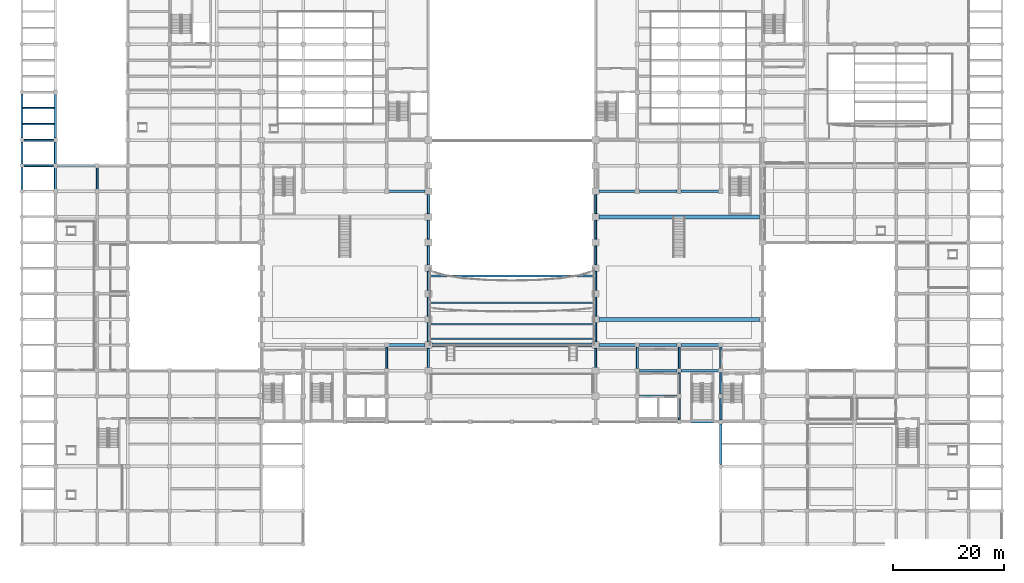
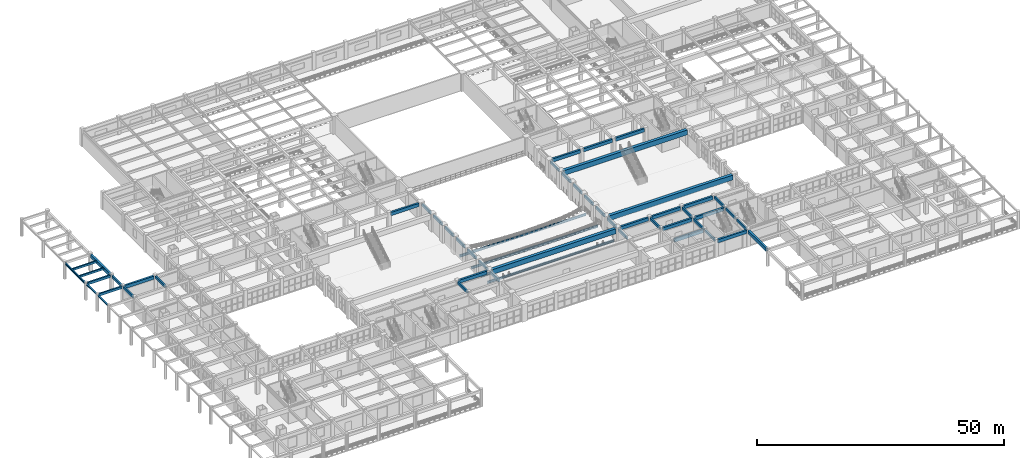
# One storey, part 43 of 116: 54 beams.
"""IFC4 building model written with IfcOpenShell, lengths in metres."""

from ifc_helpers import new_model, si_unit, direction, frame, origin, origin_2d, place, context, subcontext, project, spatial, rectangle, i_section, extrude, material, material_profile, profile_set, type_object, element, save


model = new_model("IFC4")

# Units and contexts
model_context = context("Model", 3, precision=1e-05, world=origin(), true_north=direction((0.0, 1.0)))
body_context = subcontext(model_context, "Body", "Model", "MODEL_VIEW")
ifc_project = project(units=[si_unit("LENGTHUNIT", "METRE"), si_unit("AREAUNIT", "SQUARE_METRE"), si_unit("VOLUMEUNIT", "CUBIC_METRE"), si_unit("PLANEANGLEUNIT", "RADIAN"), si_unit("MASSUNIT", "GRAM", prefix="KILO")], contexts=[model_context])

# Site, building, storey
site_placement = place(None, origin())
site = spatial("IfcSite", under=ifc_project, at=site_placement, CompositionType="ELEMENT")
building_placement = place(site_placement, origin())
building = spatial("IfcBuilding", under=site, at=building_placement, Name="Muzn Square Opera House", CompositionType="ELEMENT")
storey_placement = place(building_placement, frame((0.0, 0.0, 5.39990234375)))
storey = spatial("IfcBuildingStorey", under=building, at=storey_placement, Name="L01", CompositionType="ELEMENT", Elevation=5.39990234375)

# Beams
ifc_material_1 = material(Name="Steel S355", Category="steel")
ifc_material_profile_1 = material_profile(ifc_material_1, i_section(OverallWidth=0.300048828125, OverallDepth=0.550048828125, WebThickness=0.014892578125, FlangeThickness=0.029052734375, FilletRadius=0.027099609375, at=origin_2d()), Name="HEB 550", Category="steel")
ifc_profile_set_1 = profile_set([ifc_material_profile_1], Name="Steel S355")
beam_type_1 = type_object("IfcBeamType", Name="Auditorium Raker Beam HEB550", PredefinedType="USERDEFINED", material=ifc_profile_set_1)
for number, where, z_axis, x_axis, name in (
    (1, (73.199951171875, 36.89990234375, 0.2451171875), (1.0, 0.0, 0.0), (0.0, 1.0, 0.0), "Dress Circle Raker Beam RAKER-L01-01"),
    (2, (73.199951171875, 39.5, 0.2451171875), (1.0, 0.0, 0.0), (0.0, 1.0, 0.0), "Dress Circle Raker Beam RAKER-L01-02"),
    (3, (73.199951171875, 43.39990234375, -0.114990234375), (1.0, 0.0, 0.0), (0.0, 1.0, 0.0), "Dress Circle Raker Beam RAKER-L01-03"),
    (4, (73.199951171875, 48.199951171875, -0.114990234375), (1.0, 0.0, 0.0), (0.0, 1.0, 0.0), "Dress Circle Raker Beam RAKER-L01-04"),
):
    element("IfcBeam", number, at=place(storey_placement, frame(where, z_axis=z_axis, x_axis=x_axis)), inside=storey, type_object=beam_type_1, Name=name, ObjectType="RAKER", PredefinedType="USERDEFINED", context=body_context, shape_type="SweptSolid", body=[
        extrude(i_section(OverallWidth=0.300048828125, OverallDepth=0.550048828125, WebThickness=0.014892578125, FlangeThickness=0.029052734375, FilletRadius=0.027099609375, at=origin_2d()), origin(), (0.0, 0.0, 1.0), 29.60009765625),
    ])
ifc_material_2 = material(Name="Concrete C40/50", Category="concrete")
ifc_material_profile_2 = material_profile(ifc_material_2, rectangle(XDim=0.300048828125, YDim=0.5, at=origin_2d()), Name="RCJ 300x500", Category="concrete")
ifc_profile_set_2 = profile_set([ifc_material_profile_2], Name="Concrete C40/50")
beam_type_2 = type_object("IfcBeamType", Name="Floor Joist 300x500", PredefinedType="JOIST", material=ifc_profile_set_2)
for number, where, z_axis, x_axis, name in (
    (5, (0.14208984375, 75.466796875, 3.900146484375), (1.0, 0.0, 0.0), (0.0, 1.0, 0.0), "Floor Joist BM-L01-BM-J500-1_755_58_755-1801"),
    (6, (0.14208984375, 78.333251953125, 3.900146484375), (1.0, 0.0, 0.0), (0.0, 1.0, 0.0), "Floor Joist BM-L01-BM-J500-1_783_58_783-1802"),
):
    element("IfcBeam", number, at=place(storey_placement, frame(where, z_axis=z_axis, x_axis=x_axis)), inside=storey, type_object=beam_type_2, Name=name, PredefinedType="JOIST", context=body_context, shape_type="SweptSolid", body=[
        extrude(rectangle(XDim=0.300048828125, YDim=0.5, at=origin_2d()), origin(), (0.0, 0.0, 1.0), 5.640869140625),
    ])
ifc_material_profile_3 = material_profile(ifc_material_2, rectangle(XDim=0.35009765625, YDim=0.60009765625, at=origin_2d()), Name="RCB 350x600", Category="concrete")
ifc_profile_set_3 = profile_set([ifc_material_profile_3], Name="Concrete C40/50")
beam_type_3 = type_object("IfcBeamType", Name="Primary Girder 350x600", PredefinedType="BEAM", material=ifc_profile_set_3)
for number, where, z_axis, x_axis, name in (
    (7, (0.342041015625, 68.0, 3.85009765625), (1.0, 0.0, 0.0), (0.0, 1.0, 0.0), "Primary Girder BM-L01-BM-PG600-3_680_56_680-1412"),
    (8, (0.342041015625, 72.60009765625, 3.85009765625), (1.0, 0.0, 0.0), (0.0, 1.0, 0.0), "Primary Girder BM-L01-BM-PG600-3_726_56_726-1432"),
):
    element("IfcBeam", number, at=place(storey_placement, frame(where, z_axis=z_axis, x_axis=x_axis)), inside=storey, type_object=beam_type_3, Name=name, PredefinedType="BEAM", context=body_context, shape_type="SweptSolid", body=[
        extrude(rectangle(XDim=0.35009765625, YDim=0.60009765625, at=origin_2d()), origin(), (0.0, 0.0, 1.0), 5.291015625),
    ])
for number, where, z_axis, x_axis, name in (
    (9, (6.0, 63.76708984375, 3.85009765625), (0.0, 1.0, 0.0), (-1.0, 0.0, 0.0), "Primary Girder BM-L01-BM-PG600-60_638_60_676-1537"),
    (10, (6.0, 68.366943359375, 3.820068359375), (0.0, 1.0, 0.0), (-1.0, 0.0, 0.0), "Primary Girder BM-L01-BM-PG600-60_684_60_722-1538"),
    (11, (13.5, 63.76708984375, 3.85009765625), (0.0, 1.0, 0.0), (-1.0, 0.0, 0.0), "Primary Girder BM-L01-BM-PG600-135_638_135_676-1552"),
):
    element("IfcBeam", number, at=place(storey_placement, frame(where, z_axis=z_axis, x_axis=x_axis)), inside=storey, type_object=beam_type_3, Name=name, PredefinedType="BEAM", context=body_context, shape_type="SweptSolid", body=[
        extrude(rectangle(XDim=0.35009765625, YDim=0.60009765625, at=origin_2d()), origin(), (0.0, 0.0, 1.0), 3.865966796875),
    ])
beam_1_placement = place(storey_placement, frame((65.5, 31.56689453125, 3.820068359375), z_axis=(0.0, 1.0, 0.0), x_axis=(-1.0, 0.0, 0.0)))
element("IfcBeam", 12, at=beam_1_placement, inside=storey, type_object=beam_type_3, Name="Primary Girder BM-L01-BM-PG600-655_316_655_354-1637", PredefinedType="BEAM", context=body_context, shape_type="SweptSolid", body=[
    extrude(rectangle(XDim=0.35009765625, YDim=0.60009765625, at=origin_2d()), origin(), (0.0, 0.0, 1.0), 3.8662109375),
])
for number, where, z_axis, x_axis, name in (
    (13, (73.0, 31.7919921875, 3.820068359375), (0.0, 1.0, 0.0), (-1.0, 0.0, 0.0), "Primary Girder BM-L01-BM-PG600-730_318_730_352-1646"),
    (14, (73.0, 36.39208984375, 3.820068359375), (0.0, 1.0, 0.0), (-1.0, 0.0, 0.0), "Primary Girder BM-L01-BM-PG600-730_364_730_398-1647"),
    (15, (73.0, 40.991943359375, 3.820068359375), (0.0, 1.0, 0.0), (-1.0, 0.0, 0.0), "Primary Girder BM-L01-BM-PG600-730_410_730_444-1648"),
    (16, (73.0, 45.592041015625, 3.820068359375), (0.0, 1.0, 0.0), (-1.0, 0.0, 0.0), "Primary Girder BM-L01-BM-PG600-730_456_730_490-1649"),
    (17, (73.0, 50.19189453125, 3.820068359375), (0.0, 1.0, 0.0), (-1.0, 0.0, 0.0), "Primary Girder BM-L01-BM-PG600-730_502_730_536-1650"),
    (18, (73.0, 54.7919921875, 3.820068359375), (0.0, 1.0, 0.0), (-1.0, 0.0, 0.0), "Primary Girder BM-L01-BM-PG600-730_548_730_582-1651"),
    (19, (73.0, 59.39208984375, 3.820068359375), (0.0, 1.0, 0.0), (-1.0, 0.0, 0.0), "Primary Girder BM-L01-BM-PG600-730_594_730_628-1652"),
    (20, (103.0, 31.7919921875, 3.820068359375), (0.0, 1.0, 0.0), (-1.0, 0.0, 0.0), "Primary Girder BM-L01-BM-PG600-1030_318_1030_352-1658"),
    (21, (103.0, 36.39208984375, 3.820068359375), (0.0, 1.0, 0.0), (-1.0, 0.0, 0.0), "Primary Girder BM-L01-BM-PG600-1030_364_1030_398-1659"),
    (22, (103.0, 40.991943359375, 3.820068359375), (0.0, 1.0, 0.0), (-1.0, 0.0, 0.0), "Primary Girder BM-L01-BM-PG600-1030_410_1030_444-1660"),
    (23, (103.0, 45.592041015625, 3.820068359375), (0.0, 1.0, 0.0), (-1.0, 0.0, 0.0), "Primary Girder BM-L01-BM-PG600-1030_456_1030_490-1661"),
    (24, (103.0, 50.19189453125, 3.820068359375), (0.0, 1.0, 0.0), (-1.0, 0.0, 0.0), "Primary Girder BM-L01-BM-PG600-1030_502_1030_536-1662"),
    (25, (103.0, 54.7919921875, 3.820068359375), (0.0, 1.0, 0.0), (-1.0, 0.0, 0.0), "Primary Girder BM-L01-BM-PG600-1030_548_1030_582-1663"),
    (26, (103.0, 59.39208984375, 3.820068359375), (0.0, 1.0, 0.0), (-1.0, 0.0, 0.0), "Primary Girder BM-L01-BM-PG600-1030_594_1030_628-1664"),
):
    element("IfcBeam", number, at=place(storey_placement, frame(where, z_axis=z_axis, x_axis=x_axis)), inside=storey, type_object=beam_type_3, Name=name, PredefinedType="BEAM", context=body_context, shape_type="SweptSolid", body=[
        extrude(rectangle(XDim=0.35009765625, YDim=0.60009765625, at=origin_2d()), origin(), (0.0, 0.0, 1.0), 3.416015625),
    ])
beam_2_placement = place(storey_placement, frame((110.5, 31.56689453125, 3.820068359375), z_axis=(0.0, 1.0, 0.0), x_axis=(-1.0, 0.0, 0.0)))
element("IfcBeam", 27, at=beam_2_placement, inside=storey, type_object=beam_type_3, Name="Primary Girder BM-L01-BM-PG600-1105_316_1105_354-1670", PredefinedType="BEAM", context=body_context, shape_type="SweptSolid", body=[
    extrude(rectangle(XDim=0.35009765625, YDim=0.60009765625, at=origin_2d()), origin(), (0.0, 0.0, 1.0), 3.8662109375),
])
for number, where, z_axis, x_axis, name in (
    (28, (118.0, 22.366943359375, 3.820068359375), (0.0, 1.0, 0.0), (-1.0, 0.0, 0.0), "Primary Girder BM-L01-BM-PG600-1180_224_1180_262-1677"),
    (29, (118.0, 26.967041015625, 3.820068359375), (0.0, 1.0, 0.0), (-1.0, 0.0, 0.0), "Primary Girder BM-L01-BM-PG600-1180_270_1180_308-1678"),
):
    element("IfcBeam", number, at=place(storey_placement, frame(where, z_axis=z_axis, x_axis=x_axis)), inside=storey, type_object=beam_type_3, Name=name, PredefinedType="BEAM", context=body_context, shape_type="SweptSolid", body=[
        extrude(rectangle(XDim=0.35009765625, YDim=0.60009765625, at=origin_2d()), origin(), (0.0, 0.0, 1.0), 3.865966796875),
    ])
beam_3_placement = place(storey_placement, frame((118.0, 31.56689453125, 3.820068359375), z_axis=(0.0, 1.0, 0.0), x_axis=(-1.0, 0.0, 0.0)))
element("IfcBeam", 30, at=beam_3_placement, inside=storey, type_object=beam_type_3, Name="Primary Girder BM-L01-BM-PG600-1180_316_1180_354-1679", PredefinedType="BEAM", context=body_context, shape_type="SweptSolid", body=[
    extrude(rectangle(XDim=0.35009765625, YDim=0.60009765625, at=origin_2d()), origin(), (0.0, 0.0, 1.0), 3.8662109375),
])
for number, where, z_axis, x_axis, name in (
    (31, (125.5, 22.366943359375, 3.820068359375), (0.0, 1.0, 0.0), (-1.0, 0.0, 0.0), "Primary Girder BM-L01-BM-PG600-1255_224_1255_262-1689"),
    (32, (125.5, 26.967041015625, 3.820068359375), (0.0, 1.0, 0.0), (-1.0, 0.0, 0.0), "Primary Girder BM-L01-BM-PG600-1255_270_1255_308-1690"),
):
    element("IfcBeam", number, at=place(storey_placement, frame(where, z_axis=z_axis, x_axis=x_axis)), inside=storey, type_object=beam_type_3, Name=name, PredefinedType="BEAM", context=body_context, shape_type="SweptSolid", body=[
        extrude(rectangle(XDim=0.35009765625, YDim=0.60009765625, at=origin_2d()), origin(), (0.0, 0.0, 1.0), 3.865966796875),
    ])
beam_4_placement = place(storey_placement, frame((125.5, 31.56689453125, 3.820068359375), z_axis=(0.0, 1.0, 0.0), x_axis=(-1.0, 0.0, 0.0)))
element("IfcBeam", 33, at=beam_4_placement, inside=storey, type_object=beam_type_3, Name="Primary Girder BM-L01-BM-PG600-1255_316_1255_354-1691", PredefinedType="BEAM", context=body_context, shape_type="SweptSolid", body=[
    extrude(rectangle(XDim=0.35009765625, YDim=0.60009765625, at=origin_2d()), origin(), (0.0, 0.0, 1.0), 3.8662109375),
])
ifc_material_profile_4 = material_profile(ifc_material_2, rectangle(XDim=0.449951171875, YDim=0.800048828125, at=origin_2d()), Name="RCB 450x800", Category="concrete")
ifc_profile_set_4 = profile_set([ifc_material_profile_4], Name="Concrete C40/50")
beam_type_4 = type_object("IfcBeamType", Name="Primary Girder 450x800", PredefinedType="BEAM", material=ifc_profile_set_4)
for number, where, z_axis, x_axis, name in (
    (34, (118.366943359375, 22.0, 3.72021484375), (1.0, 0.0, 0.0), (0.0, 1.0, 0.0), "Primary Girder BM-L01-BM-PG800-1184_220_1251_220-1289"),
    (35, (110.866943359375, 26.60009765625, 3.72021484375), (1.0, 0.0, 0.0), (0.0, 1.0, 0.0), "Primary Girder BM-L01-BM-PG800-1109_266_1176_266-1305"),
    (36, (110.866943359375, 31.199951171875, 3.72021484375), (1.0, 0.0, 0.0), (0.0, 1.0, 0.0), "Primary Girder BM-L01-BM-PG800-1109_312_1176_312-1324"),
    (37, (118.366943359375, 31.199951171875, 3.72021484375), (1.0, 0.0, 0.0), (0.0, 1.0, 0.0), "Primary Girder BM-L01-BM-PG800-1184_312_1251_312-1325"),
):
    element("IfcBeam", number, at=place(storey_placement, frame(where, z_axis=z_axis, x_axis=x_axis)), inside=storey, type_object=beam_type_4, Name=name, PredefinedType="BEAM", context=body_context, shape_type="SweptSolid", body=[
        extrude(rectangle(XDim=0.449951171875, YDim=0.800048828125, at=origin_2d()), origin(), (0.0, 0.0, 1.0), 6.76611328125),
    ])
for number, where, z_axis, x_axis, name in (
    (38, (65.866943359375, 35.800048828125, 3.72021484375), (1.0, 0.0, 0.0), (0.0, 1.0, 0.0), "Primary Girder BM-L01-BM-PG800-659_358_724_358-1339"),
    (39, (103.592041015625, 35.800048828125, 3.72021484375), (1.0, 0.0, 0.0), (0.0, 1.0, 0.0), "Primary Girder BM-L01-BM-PG800-1036_358_1101_358-1341"),
):
    element("IfcBeam", number, at=place(storey_placement, frame(where, z_axis=z_axis, x_axis=x_axis)), inside=storey, type_object=beam_type_4, Name=name, PredefinedType="BEAM", context=body_context, shape_type="SweptSolid", body=[
        extrude(rectangle(XDim=0.449951171875, YDim=0.800048828125, at=origin_2d()), origin(), (0.0, 0.0, 1.0), 6.541015625),
    ])
for number, where, z_axis, x_axis, name in (
    (40, (110.866943359375, 35.800048828125, 3.72021484375), (1.0, 0.0, 0.0), (0.0, 1.0, 0.0), "Primary Girder BM-L01-BM-PG800-1109_358_1176_358-1342"),
    (41, (118.366943359375, 35.800048828125, 3.72021484375), (1.0, 0.0, 0.0), (0.0, 1.0, 0.0), "Primary Girder BM-L01-BM-PG800-1184_358_1251_358-1343"),
):
    element("IfcBeam", number, at=place(storey_placement, frame(where, z_axis=z_axis, x_axis=x_axis)), inside=storey, type_object=beam_type_4, Name=name, PredefinedType="BEAM", context=body_context, shape_type="SweptSolid", body=[
        extrude(rectangle(XDim=0.449951171875, YDim=0.800048828125, at=origin_2d()), origin(), (0.0, 0.0, 1.0), 6.76611328125),
    ])
for number, where, z_axis, x_axis, name in (
    (42, (65.866943359375, 63.39990234375, 3.72021484375), (1.0, 0.0, 0.0), (0.0, 1.0, 0.0), "Primary Girder BM-L01-BM-PG800-659_634_724_634-1402"),
    (43, (103.592041015625, 63.39990234375, 3.72021484375), (1.0, 0.0, 0.0), (0.0, 1.0, 0.0), "Primary Girder BM-L01-BM-PG800-1036_634_1101_634-1403"),
):
    element("IfcBeam", number, at=place(storey_placement, frame(where, z_axis=z_axis, x_axis=x_axis)), inside=storey, type_object=beam_type_4, Name=name, PredefinedType="BEAM", context=body_context, shape_type="SweptSolid", body=[
        extrude(rectangle(XDim=0.449951171875, YDim=0.800048828125, at=origin_2d()), origin(), (0.0, 0.0, 1.0), 6.541015625),
    ])
for number, where, z_axis, x_axis, name in (
    (44, (110.866943359375, 63.39990234375, 3.72021484375), (1.0, 0.0, 0.0), (0.0, 1.0, 0.0), "Primary Girder BM-L01-BM-PG800-1109_634_1176_634-1404"),
    (45, (118.366943359375, 63.39990234375, 3.72021484375), (1.0, 0.0, 0.0), (0.0, 1.0, 0.0), "Primary Girder BM-L01-BM-PG800-1184_634_1251_634-1405"),
    (46, (6.366943359375, 68.0, 3.72021484375), (1.0, 0.0, 0.0), (0.0, 1.0, 0.0), "Primary Girder BM-L01-BM-PG800-64_680_131_680-1413"),
):
    element("IfcBeam", number, at=place(storey_placement, frame(where, z_axis=z_axis, x_axis=x_axis)), inside=storey, type_object=beam_type_4, Name=name, PredefinedType="BEAM", context=body_context, shape_type="SweptSolid", body=[
        extrude(rectangle(XDim=0.449951171875, YDim=0.800048828125, at=origin_2d()), origin(), (0.0, 0.0, 1.0), 6.76611328125),
    ])
beam_5_placement = place(storey_placement, frame((6.0, 72.967041015625, 3.72021484375), z_axis=(0.0, 1.0, 0.0), x_axis=(-1.0, 0.0, 0.0)))
element("IfcBeam", 47, at=beam_5_placement, inside=storey, type_object=beam_type_4, Name="Primary Girder BM-L01-BM-PG800-60_730_60_808-1539", PredefinedType="BEAM", context=body_context, shape_type="SweptSolid", body=[
    extrude(rectangle(XDim=0.449951171875, YDim=0.800048828125, at=origin_2d()), origin(), (0.0, 0.0, 1.0), 7.865966796875),
])
beam_6_placement = place(storey_placement, frame((125.5, 14.342041015625, 3.72021484375), z_axis=(0.0, 1.0, 0.0), x_axis=(-1.0, 0.0, 0.0)))
element("IfcBeam", 48, at=beam_6_placement, inside=storey, type_object=beam_type_4, Name="Primary Girder BM-L01-BM-PG800-1255_143_1255_216-1688", PredefinedType="BEAM", context=body_context, shape_type="SweptSolid", body=[
    extrude(rectangle(XDim=0.449951171875, YDim=0.800048828125, at=origin_2d()), origin(), (0.0, 0.0, 1.0), 7.291015625),
])
ifc_material_profile_5 = material_profile(ifc_material_2, rectangle(XDim=0.699951171875, YDim=1.199951171875, at=origin_2d()), Name="RCB 700x1200", Category="concrete")
ifc_profile_set_5 = profile_set([ifc_material_profile_5], Name="Concrete C40/50")
beam_type_5 = type_object("IfcBeamType", Name="Primary Girder 700x1200", PredefinedType="BEAM", material=ifc_profile_set_5)
for number, where, z_axis, x_axis, name in (
    (49, (73.592041015625, 35.800048828125, 3.52001953125), (1.0, 0.0, 0.0), (0.0, 1.0, 0.0), "Primary Girder BM-L01-BM-PG1200-736_358_1024_358-1340"),
    (50, (103.592041015625, 40.39990234375, 3.52001953125), (1.0, 0.0, 0.0), (0.0, 1.0, 0.0), "Primary Girder BM-L01-BM-PG1200-1036_404_1324_404-1352"),
    (51, (103.592041015625, 58.800048828125, 3.52001953125), (1.0, 0.0, 0.0), (0.0, 1.0, 0.0), "Primary Girder BM-L01-BM-PG1200-1036_588_1324_588-1387"),
):
    element("IfcBeam", number, at=place(storey_placement, frame(where, z_axis=z_axis, x_axis=x_axis)), inside=storey, type_object=beam_type_5, Name=name, PredefinedType="BEAM", context=body_context, shape_type="SweptSolid", body=[
        extrude(rectangle(XDim=0.699951171875, YDim=1.199951171875, at=origin_2d()), origin(), (0.0, 0.0, 1.0), 28.81591796875),
    ])
ifc_material_profile_6 = material_profile(ifc_material_1, i_section(OverallWidth=0.300048828125, OverallDepth=0.330078125, WebThickness=0.009521484375, FlangeThickness=0.0166015625, FilletRadius=0.027099609375, at=origin_2d()), Name="HEA 340", Category="steel")
ifc_profile_set_6 = profile_set([ifc_material_profile_6], Name="Steel S355")
beam_type_6 = type_object("IfcBeamType", Name="Steel Spandrel Beam HEA340", PredefinedType="SPANDREL", material=ifc_profile_set_6)
for number, where, z_axis, x_axis, name in (
    (52, (0.0, 63.741943359375, 3.955078125), (0.0, 1.0, 0.0), (-1.0, 0.0, 0.0), "Spandrel Beam BM-L01-BM-SSP340-0_637_0_677-1520"),
    (53, (0.0, 68.342041015625, 3.955078125), (0.0, 1.0, 0.0), (-1.0, 0.0, 0.0), "Spandrel Beam BM-L01-BM-SSP340-0_683_0_723-1521"),
):
    element("IfcBeam", number, at=place(storey_placement, frame(where, z_axis=z_axis, x_axis=x_axis)), inside=storey, type_object=beam_type_6, Name=name, PredefinedType="SPANDREL", context=body_context, shape_type="SweptSolid", body=[
        extrude(i_section(OverallWidth=0.300048828125, OverallDepth=0.330078125, WebThickness=0.009521484375, FlangeThickness=0.0166015625, FilletRadius=0.027099609375, at=origin_2d()), origin(), (0.0, 0.0, 1.0), 3.916015625),
    ])
ifc_material_profile_7 = material_profile(ifc_material_1, i_section(OverallWidth=0.300048828125, OverallDepth=0.489990234375, WebThickness=0.011962890625, FlangeThickness=0.02294921875, FilletRadius=0.027099609375, at=origin_2d()), Name="HEA 500", Category="steel")
ifc_profile_set_7 = profile_set([ifc_material_profile_7], Name="Steel S355")
beam_type_7 = type_object("IfcBeamType", Name="Steel Spandrel Beam HEA500", PredefinedType="SPANDREL", material=ifc_profile_set_7)
beam_7_placement = place(storey_placement, frame((0.0, 72.94189453125, 3.875), z_axis=(0.0, 1.0, 0.0), x_axis=(-1.0, 0.0, 0.0)))
element("IfcBeam", 54, at=beam_7_placement, inside=storey, type_object=beam_type_7, Name="Spandrel Beam BM-L01-BM-SSP500-0_729_0_809-1522", PredefinedType="SPANDREL", context=body_context, shape_type="SweptSolid", body=[
    extrude(i_section(OverallWidth=0.300048828125, OverallDepth=0.489990234375, WebThickness=0.011962890625, FlangeThickness=0.02294921875, FilletRadius=0.027099609375, at=origin_2d()), origin(), (0.0, 0.0, 1.0), 7.916015625),
])

save(model, "model.ifc")
